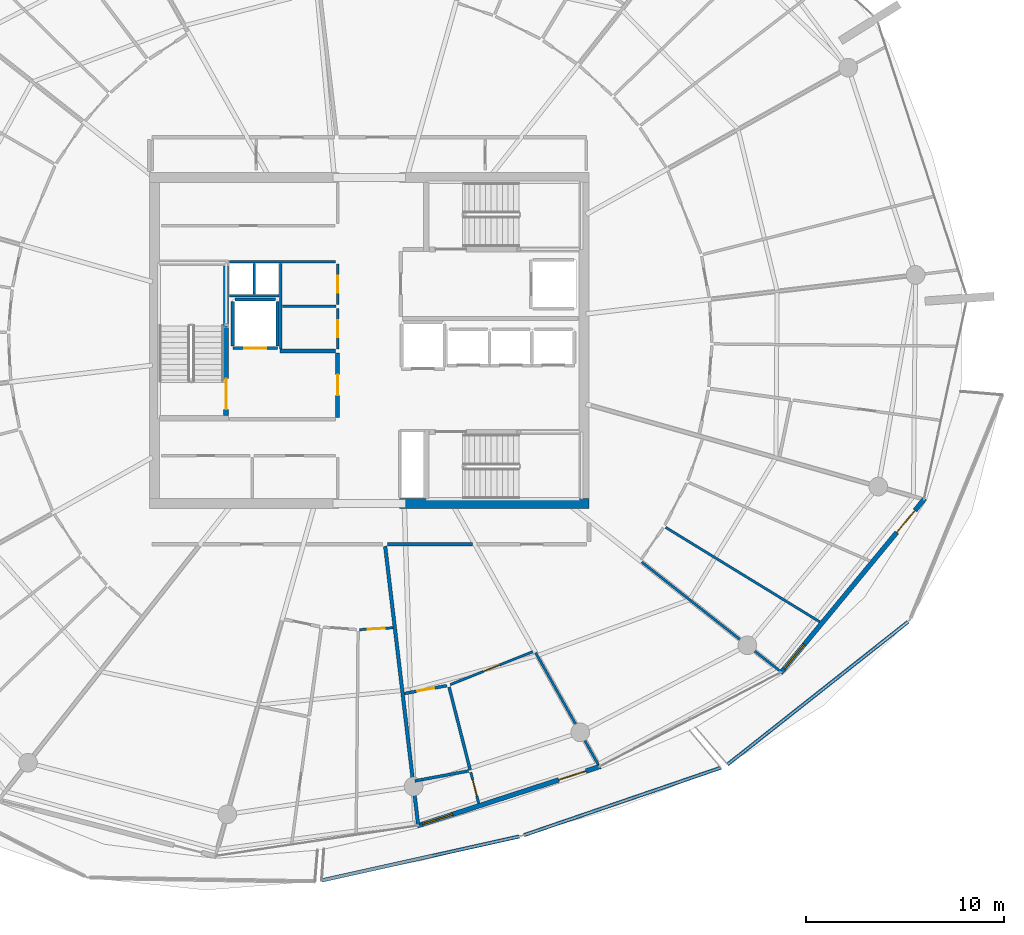
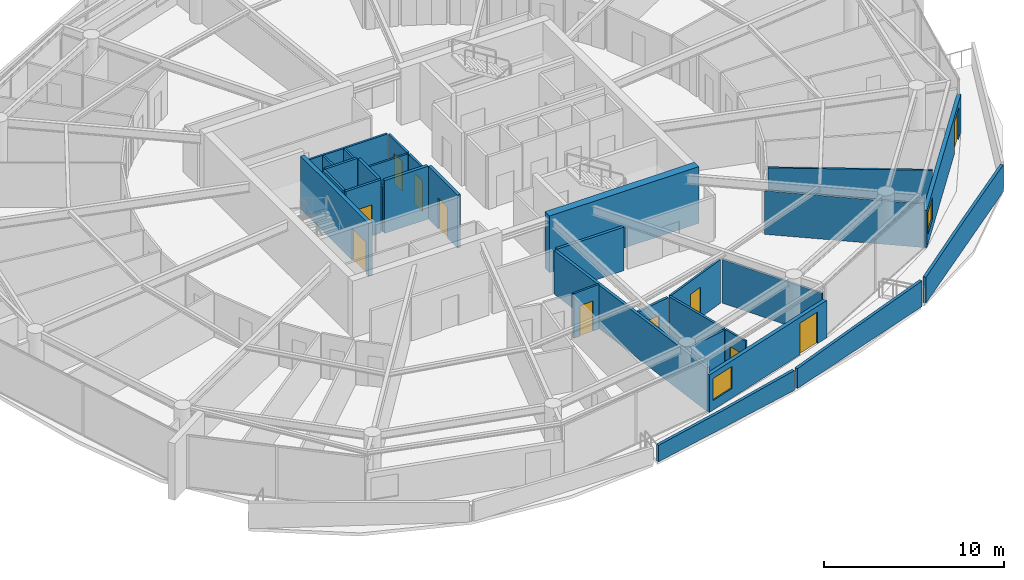
# One storey, part 18 of 29: 31 walls, 11 doors, 2 windows, 13 openings.
"""IFC4 building model written with IfcOpenShell, lengths in metres."""

from ifc_helpers import new_model, si_unit, direction, frame, frame_2d, origin, place, context, subcontext, project, spatial, polyline, rectangle, outline, extrude, material, layer, layer_set, type_object, element, fill, save


model = new_model("IFC4")

# Units and contexts
model_context = context("Model", 3, precision=1e-05, world=origin(), true_north=direction((0.0, 1.0)))
body_context = subcontext(model_context, "Body", "Model", "MODEL_VIEW")
ifc_project = project(units=[si_unit("LENGTHUNIT", "METRE"), si_unit("AREAUNIT", "SQUARE_METRE"), si_unit("VOLUMEUNIT", "CUBIC_METRE"), si_unit("PLANEANGLEUNIT", "RADIAN"), si_unit("MASSUNIT", "GRAM", prefix="KILO")], contexts=[model_context])

# Site, building, storey
site_placement = place(None, origin())
site = spatial("IfcSite", under=ifc_project, at=site_placement, CompositionType="ELEMENT")
building_placement = place(site_placement, origin())
building = spatial("IfcBuilding", under=site, at=building_placement, Name="Kazma Halo Residences", CompositionType="ELEMENT")
storey_placement = place(building_placement, frame((0.0, 0.0, 282.89990234375)))
storey = spatial("IfcBuildingStorey", under=building, at=storey_placement, Name="L71", CompositionType="ELEMENT", Elevation=282.89990234375)

# Walls
ifc_material_1 = material(Name="White Concrete C50/60 Balustrade", Category="concrete")
ifc_layer_1 = layer(ifc_material_1, 0.179931640625)
ifc_layer_set_1 = layer_set([ifc_layer_1], Name="White Concrete C50/60 Balustrade")
wall_type_1 = type_object("IfcWallType", Name="WL-BAL-WAVE-180", PredefinedType="PARAPET", material=ifc_layer_set_1)
wall_1_placement = place(storey_placement, frame((46.01708984375, 14.672607421875, 0.0), z_axis=(0.0, 0.0, 1.0), x_axis=(0.976130464401, 0.217184982143, 0.0)))
element("IfcWall", 1, at=wall_1_placement, inside=storey, type_object=wall_type_1, Name="L71 white wave balustrade wall SSE.1", PredefinedType="PARAPET", context=body_context, shape_type="SweptSolid", body=[
    extrude(outline(polyline([(0.0, 0.0), (10.257568359375, 0.0), (10.25732421875, 1.34814453125), (5.128662109375, 1.18212890625), (0.0, 1.1201171875), (0.0, 0.0)])), frame((0.0, 0.08984375, 0.0), z_axis=(0.0, -1.0, 0.0), x_axis=(1.0, 0.0, 0.0)), (0.0, 0.0, 1.0), 0.179931640625),
])
wall_2_placement = place(storey_placement, frame((56.26025390625, 16.965576171875, 0.0), z_axis=(0.0, 0.0, 1.0), x_axis=(0.945994037051, 0.32418402469, 0.0)))
element("IfcWall", 2, at=wall_2_placement, inside=storey, type_object=wall_type_1, Name="L71 white wave balustrade wall SSE.2", PredefinedType="PARAPET", context=body_context, shape_type="SweptSolid", body=[
    extrude(outline(polyline([(0.0, 0.0), (10.5439453125, 0.0), (10.5439453125, 1.7470703125), (5.27197265625, 1.56201171875), (0.0, 1.34814453125), (0.0, 0.0)])), frame((0.0, 0.08984375, 0.0), z_axis=(0.0, -1.0, 0.0), x_axis=(1.0, 0.0, 0.0)), (0.0, 0.0, 1.0), 0.179931640625),
])
wall_3_placement = place(storey_placement, frame((66.55712890625, 20.5390625, 0.0), z_axis=(0.0, 0.0, 1.0), x_axis=(0.784536716277, 0.620082366153, 0.0)))
element("IfcWall", 3, at=wall_3_placement, inside=storey, type_object=wall_type_1, Name="L71 white wave balustrade wall SE.1", PredefinedType="PARAPET", context=body_context, shape_type="SweptSolid", body=[
    extrude(outline(polyline([(0.0, 0.0), (11.65234375, 0.0), (11.652099609375, 1.83203125), (5.826171875, 1.85302734375), (0.0, 1.756103515625), (0.0, 0.0)])), frame((0.0, 0.08984375, 0.0), z_axis=(0.0, -1.0, 0.0), x_axis=(1.0, 0.0, 0.0)), (0.0, 0.0, 1.0), 0.179931640625),
])
ifc_material_2 = material(Name="Concrete C60/75", Category="concrete")
ifc_layer_2 = layer(ifc_material_2, 0.5)
ifc_layer_set_2 = layer_set([ifc_layer_2], Name="Concrete C60/75")
wall_type_2 = type_object("IfcWallType", Name="WL-CORE-500", PredefinedType="SHEAR", material=ifc_layer_set_2)
wall_4_placement = place(storey_placement, frame((49.949951171875, 33.75, 0.0), z_axis=(0.0, 0.0, 1.0), x_axis=(1.0, 0.0, 0.0)))
element("IfcWall", 4, at=wall_4_placement, inside=storey, type_object=wall_type_2, Name="L71 central core shear wall SE", PredefinedType="SHEAR", context=body_context, shape_type="SweptSolid", body=[
    extrude(rectangle(XDim=9.60009765625, YDim=0.5, at=frame_2d((4.800048828125, 0.0))), origin(), (0.0, 0.0, 1.0), 3.85009765625),
])
ifc_material_3 = material(Name="Acoustic Twin-Stud Gypsum")
ifc_layer_3 = layer(ifc_material_3, 0.179931640625)
ifc_layer_set_3 = layer_set([ifc_layer_3], Name="Acoustic Twin-Stud Gypsum")
wall_type_3 = type_object("IfcWallType", Name="WL-DEM-180", PredefinedType="PARTITIONING", material=ifc_layer_set_3)
wall_5_placement = place(storey_placement, frame((49.23193359375, 31.5908203125, 0.0), z_axis=(0.0, 0.0, 1.0), x_axis=(0.117545848714, -0.993067456646, 0.0)))
element("IfcWall", 5, at=wall_5_placement, inside=storey, type_object=wall_type_3, Name="L71 apartment demising radial wall 11", PredefinedType="PARTITIONING", context=body_context, shape_type="SweptSolid", body=[
    extrude(rectangle(XDim=14.212890625, YDim=0.179931640625, at=frame_2d((7.1064453125, 0.0))), origin(), (0.0, 0.0, 1.0), 2.95703125),
])
wall_6_placement = place(storey_placement, frame((49.339111328125, 31.699951171875, 0.0), z_axis=(0.0, 0.0, 1.0), x_axis=(1.0, 0.0, 0.0)))
element("IfcWall", 6, at=wall_6_placement, inside=storey, type_object=wall_type_3, Name="L71 Apartment 3 inner wall 11", PredefinedType="PARTITIONING", context=body_context, shape_type="SweptSolid", body=[
    extrude(rectangle(XDim=4.30908203125, YDim=0.179931640625, at=frame_2d((2.154541015625, 0.0))), origin(), (0.0, 0.0, 1.0), 2.95703125),
])

# Wall, openings, door, window
ifc_material_4 = material(Name="Insulated Pale-Metal Composite Wall")
ifc_layer_4 = layer(ifc_material_4, 0.239990234375)
ifc_layer_set_4 = layer_set([ifc_layer_4], Name="Insulated Pale-Metal Composite Wall")
wall_type_4 = type_object("IfcWallType", Name="WL-EXT-HOST-240", PredefinedType="SOLIDWALL", material=ifc_layer_set_4)
wall_7_placement = place(storey_placement, frame((50.85791015625, 17.436279296875, 0.0), z_axis=(0.0, 0.0, 1.0), x_axis=(0.951055974609, 0.309018661507, 0.0)))
wall_7 = element("IfcWall", 7, at=wall_7_placement, inside=storey, type_object=wall_type_4, Name="L71 exterior terrace-access wall B12", PredefinedType="SOLIDWALL", context=body_context, shape_type="SweptSolid", body=[
    extrude(rectangle(XDim=9.745361328125, YDim=0.239990234375, at=frame_2d((4.87255859375, 0.0))), origin(), (0.0, 0.0, 1.0), 2.5400390625),
])
opening_1_placement = place(wall_7_placement, frame((7.525390625, 0.0, 0.0)))
opening_1 = element("IfcOpeningElement", 8, at=opening_1_placement, cuts=wall_7, Name="Opening DTR-1600", PredefinedType="OPENING", context=body_context, shape_type="SweptSolid", body=[
    extrude(rectangle(XDim=1.449951171875, YDim=2.14990234375, at=frame_2d((0.72509765625, 1.074951171875))), frame((0.0, 0.1298828125, 0.0), z_axis=(0.0, -1.0, 0.0), x_axis=(1.0, 0.0, 0.0)), (0.0, 0.0, 1.0), 0.260009765625),
])
opening_2_placement = place(wall_7_placement, frame((0.280029296875, 0.0, 0.64990234375)))
opening_2 = element("IfcOpeningElement", 9, at=opening_2_placement, cuts=wall_7, Name="Opening W-1800", PredefinedType="OPENING", context=body_context, shape_type="SweptSolid", body=[
    extrude(rectangle(XDim=1.60009765625, YDim=1.5, at=frame_2d((0.800048828125, 0.75))), frame((0.0, 0.1298828125, 0.0), z_axis=(0.0, -1.0, 0.0), x_axis=(1.0, 0.0, 0.0)), (0.0, 0.0, 1.0), 0.260009765625),
])
ifc_material_5 = material(Name="Aluminium AW-6063 T6 Double-Glazed Terrace Door", Category="aluminium")
door_type_1 = type_object("IfcDoorType", Name="DR-EXT-TERR-1600", OperationType="NOTDEFINED", PredefinedType="DOOR", material=ifc_material_5)
door_1_placement = place(opening_1_placement, origin())
door_1 = element("IfcDoor", 10, at=door_1_placement, inside=storey, type_object=door_type_1, Name="L71 B12 balcony terrace door", OperationType="DOUBLE_DOOR_SLIDING", OverallHeight=2.14990234375, OverallWidth=1.449951171875, PredefinedType="DOOR", context=body_context, shape_type="SweptSolid", body=[
    extrude(rectangle(XDim=1.449951171875, YDim=2.14990234375, at=frame_2d((0.72509765625, 1.074951171875))), frame((0.0, 0.02490234375, 0.0), z_axis=(0.0, -1.0, 0.0), x_axis=(1.0, 0.0, 0.0)), (0.0, 0.0, 1.0), 0.050048828125),
])
fill(opening_1, door_1)
ifc_material_6 = material(Name="Clear Triple-Silver Low-E Glass in Aluminium AW-6063 T6 Frame", Category="aluminium")
window_type = type_object("IfcWindowType", Name="WIN-RES-1800", PartitioningType="DOUBLE_PANEL_VERTICAL", PredefinedType="WINDOW", material=ifc_material_6)
window_1_placement = place(opening_2_placement, origin())
window_1 = element("IfcWindow", 11, at=window_1_placement, inside=storey, type_object=window_type, Name="L71 B12 apartment window", OverallHeight=1.5, OverallWidth=1.60009765625, PartitioningType="SINGLE_PANEL", PredefinedType="WINDOW", context=body_context, shape_type="SweptSolid", body=[
    extrude(rectangle(XDim=1.60009765625, YDim=1.5, at=frame_2d((0.800048828125, 0.75))), frame((0.0, 0.030029296875, 0.0), z_axis=(0.0, -1.0, 0.0), x_axis=(1.0, 0.0, 0.0)), (0.0, 0.0, 1.0), 0.06005859375),
])
fill(opening_2, window_1)

wall_8_placement = place(storey_placement, frame((69.2578125, 25.177978515625, 0.0), z_axis=(0.0, 0.0, 1.0), x_axis=(0.636680093065, 0.771128043255, 0.0)))
wall_8 = element("IfcWall", 12, at=wall_8_placement, inside=storey, type_object=wall_type_4, Name="L71 exterior terrace-access wall B14", PredefinedType="SOLIDWALL", context=body_context, shape_type="SweptSolid", body=[
    extrude(rectangle(XDim=11.438232421875, YDim=0.239990234375, at=frame_2d((5.71923828125, 0.0))), origin(), (0.0, 0.0, 1.0), 2.5400390625),
])
opening_3_placement = place(wall_8_placement, frame((9.21826171875, 0.0, 0.0)))
opening_3 = element("IfcOpeningElement", 13, at=opening_3_placement, cuts=wall_8, Name="Opening DTR-1600", PredefinedType="OPENING", context=body_context, shape_type="SweptSolid", body=[
    extrude(rectangle(XDim=1.449951171875, YDim=2.14990234375, at=frame_2d((0.72509765625, 1.074951171875))), frame((0.0, 0.1298828125, 0.0), z_axis=(0.0, -1.0, 0.0), x_axis=(1.0, 0.0, 0.0)), (0.0, 0.0, 1.0), 0.260009765625),
])
opening_4_placement = place(wall_8_placement, frame((0.280029296875, 0.0, 0.64990234375)))
opening_4 = element("IfcOpeningElement", 14, at=opening_4_placement, cuts=wall_8, Name="Opening W-1800", PredefinedType="OPENING", context=body_context, shape_type="SweptSolid", body=[
    extrude(rectangle(XDim=1.60009765625, YDim=1.5, at=frame_2d((0.800048828125, 0.75))), frame((0.0, 0.1298828125, 0.0), z_axis=(0.0, -1.0, 0.0), x_axis=(1.0, 0.0, 0.0)), (0.0, 0.0, 1.0), 0.260009765625),
])
door_2_placement = place(opening_3_placement, origin())
door_2 = element("IfcDoor", 15, at=door_2_placement, inside=storey, type_object=door_type_1, Name="L71 B14 balcony terrace door", OperationType="DOUBLE_DOOR_SLIDING", OverallHeight=2.14990234375, OverallWidth=1.449951171875, PredefinedType="DOOR", context=body_context, shape_type="SweptSolid", body=[
    extrude(rectangle(XDim=1.449951171875, YDim=2.14990234375, at=frame_2d((0.72509765625, 1.074951171875))), frame((0.0, 0.02490234375, 0.0), z_axis=(0.0, -1.0, 0.0), x_axis=(1.0, 0.0, 0.0)), (0.0, 0.0, 1.0), 0.050048828125),
])
fill(opening_3, door_2)
window_2_placement = place(opening_4_placement, origin())
window_2 = element("IfcWindow", 16, at=window_2_placement, inside=storey, type_object=window_type, Name="L71 B14 apartment window", OverallHeight=1.5, OverallWidth=1.60009765625, PartitioningType="SINGLE_PANEL", PredefinedType="WINDOW", context=body_context, shape_type="SweptSolid", body=[
    extrude(rectangle(XDim=1.60009765625, YDim=1.5, at=frame_2d((0.800048828125, 0.75))), frame((0.0, 0.030029296875, 0.0), z_axis=(0.0, -1.0, 0.0), x_axis=(1.0, 0.0, 0.0)), (0.0, 0.0, 1.0), 0.06005859375),
])
fill(opening_4, window_2)

# Wall, opening, door
ifc_material_7 = material(Name="Fire-Rated Blockwork Masonry", Category="masonry")
ifc_layer_5 = layer(ifc_material_7, 0.199951171875)
ifc_layer_set_5 = layer_set([ifc_layer_5], Name="Fire-Rated Blockwork Masonry")
wall_type_5 = type_object("IfcWallType", Name="WL-FLB-200", PredefinedType="PARTITIONING", material=ifc_layer_set_5)
wall_9_placement = place(storey_placement, frame((43.780029296875, 41.6201171875, 0.0), z_axis=(0.0, 0.0, 1.0), x_axis=(-1.0, 0.0, 0.0)))
wall_9 = element("IfcWall", 17, at=wall_9_placement, inside=storey, type_object=wall_type_5, Name="L71 lift shaft FL-01 front wall", PredefinedType="PARTITIONING", context=body_context, shape_type="SweptSolid", body=[
    extrude(rectangle(XDim=2.260009765625, YDim=0.159912109375, at=frame_2d((1.1298828125, 0.0))), origin(), (0.0, 0.0, 1.0), 3.590087890625),
])
opening_5_placement = place(wall_9_placement, frame((0.580078125, 0.0, 0.0)))
opening_5 = element("IfcOpeningElement", 18, at=opening_5_placement, cuts=wall_9, Name="Opening LD-FL-01", PredefinedType="OPENING", context=body_context, shape_type="SweptSolid", body=[
    extrude(rectangle(XDim=1.10009765625, YDim=2.10009765625, at=frame_2d((0.550048828125, 1.050048828125))), frame((0.0, 0.08984375, 0.0), z_axis=(0.0, -1.0, 0.0), x_axis=(1.0, 0.0, 0.0)), (0.0, 0.0, 1.0), 0.179931640625),
])
ifc_material_8 = material(Name="Stainless Steel Fire-Rated", Category="steel")
door_type_2 = type_object("IfcDoorType", Name="DR-LIFT-SLD-1100", OperationType="DOUBLE_DOOR_SLIDING", PredefinedType="DOOR", material=ifc_material_8)
door_3_placement = place(opening_5_placement, origin())
door_3 = element("IfcDoor", 19, at=door_3_placement, inside=storey, type_object=door_type_2, Name="L71 lift FL-01 sliding landing door", OperationType="DOUBLE_DOOR_SLIDING", OverallHeight=2.10009765625, OverallWidth=1.10009765625, PredefinedType="DOOR", context=body_context, shape_type="SweptSolid", body=[
    extrude(rectangle(XDim=1.10009765625, YDim=2.10009765625, at=frame_2d((0.550048828125, 1.050048828125))), frame((0.0, 0.02490234375, 0.0), z_axis=(0.0, -1.0, 0.0), x_axis=(1.0, 0.0, 0.0)), (0.0, 0.0, 1.0), 0.050048828125),
])
fill(opening_5, door_3)

# Walls
for number, where, z_axis, x_axis, name in (
    (20, (43.780029296875, 41.719970703125, 0.0), (0.0, 0.0, 1.0), (0.0, 1.0, 0.0), "L71 lift shaft FL-01 side wall E"),
    (21, (41.52001953125, 41.719970703125, 0.0), (0.0, 0.0, 1.0), (0.0, 1.0, 0.0), "L71 lift shaft FL-01 side wall W"),
):
    element("IfcWall", number, at=place(storey_placement, frame(where, z_axis=z_axis, x_axis=x_axis)), inside=storey, type_object=wall_type_5, Name=name, PredefinedType="PARTITIONING", context=body_context, shape_type="SweptSolid", body=[
        extrude(rectangle(XDim=2.260009765625, YDim=0.159912109375, at=frame_2d((1.1298828125, 0.0))), origin(), (0.0, 0.0, 1.0), 3.590087890625),
    ])
wall_10_placement = place(storey_placement, frame((41.6201171875, 44.080078125, 0.0), z_axis=(0.0, 0.0, 1.0), x_axis=(1.0, 0.0, 0.0)))
element("IfcWall", 22, at=wall_10_placement, inside=storey, type_object=wall_type_5, Name="L71 lift shaft FL-01 side wall N", PredefinedType="PARTITIONING", context=body_context, shape_type="SweptSolid", body=[
    extrude(rectangle(XDim=2.059814453125, YDim=0.159912109375, at=frame_2d((1.02978515625, 0.0))), origin(), (0.0, 0.0, 1.0), 3.590087890625),
])
wall_11_placement = place(storey_placement, frame((43.919921875, 41.47998046875, 0.0), z_axis=(0.0, 0.0, 1.0), x_axis=(1.0, 0.0, 0.0)))
element("IfcWall", 23, at=wall_11_placement, inside=storey, type_object=wall_type_5, Name="L71 west firefighting lobby north smoke wall", PredefinedType="PARTITIONING", context=body_context, shape_type="SweptSolid", body=[
    extrude(rectangle(XDim=2.800048828125, YDim=0.199951171875, at=frame_2d((1.39990234375, 0.0))), origin(), (0.0, 0.0, 1.0), 3.590087890625),
])

# Wall, opening, door
wall_12_placement = place(storey_placement, frame((46.820068359375, 38.1201171875, 0.0), z_axis=(0.0, 0.0, 1.0), x_axis=(0.0, 1.0, 0.0)))
wall_12 = element("IfcWall", 24, at=wall_12_placement, inside=storey, type_object=wall_type_5, Name="L71 west firefighting lobby smoke wall", PredefinedType="PARTITIONING", context=body_context, shape_type="SweptSolid", body=[
    extrude(rectangle(XDim=3.259765625, YDim=0.199951171875, at=frame_2d((1.6298828125, 0.0))), origin(), (0.0, 0.0, 1.0), 3.590087890625),
])
opening_6_placement = place(wall_12_placement, frame((1.10498046875, 0.0, 0.0)))
opening_6 = element("IfcOpeningElement", 25, at=opening_6_placement, cuts=wall_12, Name="Opening D-FLW", PredefinedType="OPENING", context=body_context, shape_type="SweptSolid", body=[
    extrude(rectangle(XDim=1.050048828125, YDim=2.10009765625, at=frame_2d((0.52490234375, 1.050048828125))), frame((0.0, 0.10986328125, 0.0), z_axis=(0.0, -1.0, 0.0), x_axis=(1.0, 0.0, 0.0)), (0.0, 0.0, 1.0), 0.219970703125),
])
ifc_material_9 = material(Name="Fire-Rated Steel Leaf", Category="steel")
door_type_3 = type_object("IfcDoorType", Name="DR-FD90-1050", OperationType="NOTDEFINED", PredefinedType="DOOR", material=ifc_material_9)
door_4_placement = place(opening_6_placement, origin())
door_4 = element("IfcDoor", 26, at=door_4_placement, inside=storey, type_object=door_type_3, Name="L71 west firefighting lobby smoke door", OperationType="SINGLE_SWING_RIGHT", OverallHeight=2.10009765625, OverallWidth=1.050048828125, PredefinedType="DOOR", context=body_context, shape_type="SweptSolid", body=[
    extrude(rectangle(XDim=1.050048828125, YDim=2.10009765625, at=frame_2d((0.52490234375, 1.050048828125))), frame((0.0, 0.02490234375, 0.0), z_axis=(0.0, -1.0, 0.0), x_axis=(1.0, 0.0, 0.0)), (0.0, 0.0, 1.0), 0.050048828125),
])
fill(opening_6, door_4)

# Walls
ifc_material_10 = material(Name="Gypsum Plasterboard Partition")
ifc_layer_6 = layer(ifc_material_10, 0.125)
ifc_layer_set_6 = layer_set([ifc_layer_6], Name="Gypsum Plasterboard Partition")
wall_type_6 = type_object("IfcWallType", Name="WL-PART-125", PredefinedType="PARTITIONING", material=ifc_layer_set_6)
wall_13_placement = place(storey_placement, frame((41.360107421875, 45.97998046875, 0.0), z_axis=(0.0, 0.0, 1.0), x_axis=(1.0, 0.0, 0.0)))
element("IfcWall", 27, at=wall_13_placement, inside=storey, type_object=wall_type_6, Name="L71 core north riser wall", PredefinedType="PARTITIONING", context=body_context, shape_type="SweptSolid", body=[
    extrude(rectangle(XDim=5.35986328125, YDim=0.125, at=frame_2d((2.679931640625, 0.0))), origin(), (0.0, 0.0, 1.0), 3.030029296875),
])
wall_14_placement = place(storey_placement, frame((41.360107421875, 44.260009765625, 0.0), z_axis=(0.0, 0.0, 1.0), x_axis=(1.0, 0.0, 0.0)))
element("IfcWall", 28, at=wall_14_placement, inside=storey, type_object=wall_type_6, Name="L71 core riser south wall", PredefinedType="PARTITIONING", context=body_context, shape_type="SweptSolid", body=[
    extrude(rectangle(XDim=2.5, YDim=0.125, at=frame_2d((1.25, 0.0))), origin(), (0.0, 0.0, 1.0), 3.030029296875),
])
wall_15_placement = place(storey_placement, frame((42.60009765625, 44.35009765625, 0.0), z_axis=(0.0, 0.0, 1.0), x_axis=(0.0, 1.0, 0.0)))
element("IfcWall", 29, at=wall_15_placement, inside=storey, type_object=wall_type_6, Name="L71 core riser divider wall", PredefinedType="PARTITIONING", context=body_context, shape_type="SweptSolid", body=[
    extrude(rectangle(XDim=1.5498046875, YDim=0.125, at=frame_2d((0.77490234375, 0.0))), origin(), (0.0, 0.0, 1.0), 3.030029296875),
])
wall_16_placement = place(storey_placement, frame((43.949951171875, 41.580078125, 0.0), z_axis=(0.0, 0.0, 1.0), x_axis=(0.0, 1.0, 0.0)))
element("IfcWall", 30, at=wall_16_placement, inside=storey, type_object=wall_type_6, Name="L71 core service west wall", PredefinedType="PARTITIONING", context=body_context, shape_type="SweptSolid", body=[
    extrude(rectangle(XDim=4.31982421875, YDim=0.125, at=frame_2d((2.159912109375, 0.0))), origin(), (0.0, 0.0, 1.0), 3.030029296875),
])
wall_17_placement = place(storey_placement, frame((44.030029296875, 43.72998046875, 0.0), z_axis=(0.0, 0.0, 1.0), x_axis=(1.0, 0.0, 0.0)))
element("IfcWall", 31, at=wall_17_placement, inside=storey, type_object=wall_type_6, Name="L71 switch/IDF divider", PredefinedType="PARTITIONING", context=body_context, shape_type="SweptSolid", body=[
    extrude(rectangle(XDim=2.7099609375, YDim=0.125, at=frame_2d((1.35498046875, 0.0))), origin(), (0.0, 0.0, 1.0), 3.030029296875),
])

# Wall, opening, door
wall_18_placement = place(storey_placement, frame((46.820068359375, 41.580078125, 0.0), z_axis=(0.0, 0.0, 1.0), x_axis=(0.0, 1.0, 0.0)))
wall_18 = element("IfcWall", 32, at=wall_18_placement, inside=storey, type_object=wall_type_6, Name="L71 electrical switch room east wall", PredefinedType="PARTITIONING", context=body_context, shape_type="SweptSolid", body=[
    extrude(rectangle(XDim=2.0498046875, YDim=0.125, at=frame_2d((1.02490234375, 0.0))), origin(), (0.0, 0.0, 1.0), 3.030029296875),
])
opening_7_placement = place(wall_18_placement, frame((0.60009765625, 0.0, 0.0)))
opening_7 = element("IfcOpeningElement", 33, at=opening_7_placement, cuts=wall_18, Name="Opening DS-850", PredefinedType="OPENING", context=body_context, shape_type="SweptSolid", body=[
    extrude(rectangle(XDim=0.85009765625, YDim=2.06005859375, at=frame_2d((0.425048828125, 1.030029296875))), frame((0.0, 0.072509765625, 0.0), z_axis=(0.0, -1.0, 0.0), x_axis=(1.0, 0.0, 0.0)), (0.0, 0.0, 1.0), 0.14501953125),
])
ifc_material_11 = material(Name="Painted Steel Access Leaf", Category="steel")
door_type_4 = type_object("IfcDoorType", Name="DR-SVC-850", OperationType="NOTDEFINED", PredefinedType="DOOR", material=ifc_material_11)
door_5_placement = place(opening_7_placement, origin())
door_5 = element("IfcDoor", 34, at=door_5_placement, inside=storey, type_object=door_type_4, Name="L71 electrical switch room door", OperationType="SINGLE_SWING_RIGHT", OverallHeight=2.06005859375, OverallWidth=0.85009765625, PredefinedType="DOOR", context=body_context, shape_type="SweptSolid", body=[
    extrude(rectangle(XDim=0.85009765625, YDim=2.06005859375, at=frame_2d((0.425048828125, 1.030029296875))), frame((0.0, 0.02490234375, 0.0), z_axis=(0.0, -1.0, 0.0), x_axis=(1.0, 0.0, 0.0)), (0.0, 0.0, 1.0), 0.050048828125),
])
fill(opening_7, door_5)

wall_19_placement = place(storey_placement, frame((46.820068359375, 43.830078125, 0.0), z_axis=(0.0, 0.0, 1.0), x_axis=(0.0, 1.0, 0.0)))
wall_19 = element("IfcWall", 35, at=wall_19_placement, inside=storey, type_object=wall_type_6, Name="L71 telecom IDF room east wall", PredefinedType="PARTITIONING", context=body_context, shape_type="SweptSolid", body=[
    extrude(rectangle(XDim=2.0498046875, YDim=0.125, at=frame_2d((1.02490234375, 0.0))), origin(), (0.0, 0.0, 1.0), 3.030029296875),
])
opening_8_placement = place(wall_19_placement, frame((0.60009765625, 0.0, 0.0)))
opening_8 = element("IfcOpeningElement", 36, at=opening_8_placement, cuts=wall_19, Name="Opening DS-850", PredefinedType="OPENING", context=body_context, shape_type="SweptSolid", body=[
    extrude(rectangle(XDim=0.85009765625, YDim=2.06005859375, at=frame_2d((0.425048828125, 1.030029296875))), frame((0.0, 0.072509765625, 0.0), z_axis=(0.0, -1.0, 0.0), x_axis=(1.0, 0.0, 0.0)), (0.0, 0.0, 1.0), 0.14501953125),
])
door_6_placement = place(opening_8_placement, origin())
door_6 = element("IfcDoor", 37, at=door_6_placement, inside=storey, type_object=door_type_4, Name="L71 telecom IDF room door", OperationType="SINGLE_SWING_LEFT", OverallHeight=2.06005859375, OverallWidth=0.85009765625, PredefinedType="DOOR", context=body_context, shape_type="SweptSolid", body=[
    extrude(rectangle(XDim=0.85009765625, YDim=2.06005859375, at=frame_2d((0.425048828125, 1.030029296875))), frame((0.0, 0.02490234375, 0.0), z_axis=(0.0, -1.0, 0.0), x_axis=(1.0, 0.0, 0.0)), (0.0, 0.0, 1.0), 0.050048828125),
])
fill(opening_8, door_6)

wall_20_placement = place(storey_placement, frame((47.94189453125, 27.368896484375, 0.0), z_axis=(0.0, 0.0, 1.0), x_axis=(0.998523596101, 0.054319683628, 0.0)))
wall_20 = element("IfcWall", 38, at=wall_20_placement, inside=storey, type_object=wall_type_6, Name="L71 Apartment 2 Primary Bedroom hall wall", PredefinedType="PARTITIONING", context=body_context, shape_type="SweptSolid", body=[
    extrude(rectangle(XDim=1.680908203125, YDim=0.125, at=frame_2d((0.84033203125, 0.0))), origin(), (0.0, 0.0, 1.0), 3.030029296875),
])
opening_9_placement = place(wall_20_placement, frame((0.415283203125, 0.0, 0.0)))
opening_9 = element("IfcOpeningElement", 39, at=opening_9_placement, cuts=wall_20, Name="Opening DB-900", PredefinedType="OPENING", context=body_context, shape_type="SweptSolid", body=[
    extrude(rectangle(XDim=0.85009765625, YDim=2.06005859375, at=frame_2d((0.425048828125, 1.030029296875))), frame((0.0, 0.072509765625, 0.0), z_axis=(0.0, -1.0, 0.0), x_axis=(1.0, 0.0, 0.0)), (0.0, 0.0, 1.0), 0.14501953125),
])
ifc_material_12 = material(Name="Moisture-Sealed Timber Leaf", Category="wood")
door_type_5 = type_object("IfcDoorType", Name="DR-BTH-900", OperationType="NOTDEFINED", PredefinedType="DOOR", material=ifc_material_12)
door_7_placement = place(opening_9_placement, origin())
door_7 = element("IfcDoor", 40, at=door_7_placement, inside=storey, type_object=door_type_5, Name="L71 Apartment 2 Primary Bedroom door", OperationType="SINGLE_SWING_LEFT", OverallHeight=2.06005859375, OverallWidth=0.85009765625, PredefinedType="DOOR", context=body_context, shape_type="SweptSolid", body=[
    extrude(rectangle(XDim=0.85009765625, YDim=2.06005859375, at=frame_2d((0.425048828125, 1.030029296875))), frame((0.0, 0.02490234375, 0.0), z_axis=(0.0, -1.0, 0.0), x_axis=(1.0, 0.0, 0.0)), (0.0, 0.0, 1.0), 0.050048828125),
])
fill(opening_9, door_7)

# Wall
wall_21_placement = place(storey_placement, frame((56.846923828125, 26.20263671875, 0.0), z_axis=(0.0, 0.0, 1.0), x_axis=(0.488636594114, -0.872487409017, 0.0)))
element("IfcWall", 41, at=wall_21_placement, inside=storey, type_object=wall_type_6, Name="L71 Apartment 3 living radial partition 11", PredefinedType="PARTITIONING", context=body_context, shape_type="SweptSolid", body=[
    extrude(rectangle(XDim=6.48876953125, YDim=0.125, at=frame_2d((3.244384765625, 0.0))), origin(), (0.0, 0.0, 1.0), 2.95703125),
])

# Wall, opening, door
wall_22_placement = place(storey_placement, frame((53.5654296875, 20.1455078125, 0.0), z_axis=(0.0, 0.0, 1.0), x_axis=(0.24689818157, -0.969041427359, 0.0)))
wall_22 = element("IfcWall", 42, at=wall_22_placement, inside=storey, type_object=wall_type_6, Name="L71 Apartment 3 Utility Laundry Room partition wall", PredefinedType="PARTITIONING", context=body_context, shape_type="SweptSolid", body=[
    extrude(rectangle(XDim=1.61865234375, YDim=0.125, at=frame_2d((0.809326171875, 0.0))), origin(), (0.0, 0.0, 1.0), 3.030029296875),
])
opening_10_placement = place(wall_22_placement, frame((0.384521484375, 0.0, 0.0)))
opening_10 = element("IfcOpeningElement", 43, at=opening_10_placement, cuts=wall_22, Name="Opening DB-900", PredefinedType="OPENING", context=body_context, shape_type="SweptSolid", body=[
    extrude(rectangle(XDim=0.85009765625, YDim=2.06005859375, at=frame_2d((0.425048828125, 1.030029296875))), frame((0.0, 0.072509765625, 0.0), z_axis=(0.0, -1.0, 0.0), x_axis=(1.0, 0.0, 0.0)), (0.0, 0.0, 1.0), 0.14501953125),
])
door_8_placement = place(opening_10_placement, origin())
door_8 = element("IfcDoor", 44, at=door_8_placement, inside=storey, type_object=door_type_5, Name="L71 Apartment 3 Utility Laundry Room door", OperationType="SINGLE_SWING_RIGHT", OverallHeight=2.06005859375, OverallWidth=0.85009765625, PredefinedType="DOOR", context=body_context, shape_type="SweptSolid", body=[
    extrude(rectangle(XDim=0.85009765625, YDim=2.06005859375, at=frame_2d((0.425048828125, 1.030029296875))), frame((0.0, 0.02490234375, 0.0), z_axis=(0.0, -1.0, 0.0), x_axis=(1.0, 0.0, 0.0)), (0.0, 0.0, 1.0), 0.050048828125),
])
fill(opening_10, door_8)

wall_23_placement = place(storey_placement, frame((52.52734375, 24.584228515625, 0.0), z_axis=(0.0, 0.0, 1.0), x_axis=(0.928678664633, 0.370885343274, 0.0)))
wall_23 = element("IfcWall", 45, at=wall_23_placement, inside=storey, type_object=wall_type_6, Name="L71 Apartment 3 Gourmet Kitchen hall wall", PredefinedType="PARTITIONING", context=body_context, shape_type="SweptSolid", body=[
    extrude(rectangle(XDim=4.49853515625, YDim=0.125, at=frame_2d((2.249267578125, 0.0))), origin(), (0.0, 0.0, 1.0), 2.95703125),
])
opening_11_placement = place(wall_23_placement, frame((1.79931640625, 0.0, 0.0)))
opening_11 = element("IfcOpeningElement", 46, at=opening_11_placement, cuts=wall_23, Name="Opening DI-950", PredefinedType="OPENING", context=body_context, shape_type="SweptSolid", body=[
    extrude(rectangle(XDim=0.89990234375, YDim=2.080078125, at=frame_2d((0.449951171875, 1.0400390625))), frame((0.0, 0.072509765625, 0.0), z_axis=(0.0, -1.0, 0.0), x_axis=(1.0, 0.0, 0.0)), (0.0, 0.0, 1.0), 0.14501953125),
])
ifc_material_13 = material(Name="Timber Veneer Flush Leaf", Category="wood")
door_type_6 = type_object("IfcDoorType", Name="DR-INT-950", OperationType="NOTDEFINED", PredefinedType="DOOR", material=ifc_material_13)
door_9_placement = place(opening_11_placement, origin())
door_9 = element("IfcDoor", 47, at=door_9_placement, inside=storey, type_object=door_type_6, Name="L71 Apartment 3 Gourmet Kitchen door", OperationType="SINGLE_SWING_LEFT", OverallHeight=2.080078125, OverallWidth=0.89990234375, PredefinedType="DOOR", context=body_context, shape_type="SweptSolid", body=[
    extrude(rectangle(XDim=0.89990234375, YDim=2.080078125, at=frame_2d((0.449951171875, 1.0400390625))), frame((0.0, 0.02490234375, 0.0), z_axis=(0.0, -1.0, 0.0), x_axis=(1.0, 0.0, 0.0)), (0.0, 0.0, 1.0), 0.050048828125),
])
fill(opening_11, door_9)

# Walls
wall_24_placement = place(storey_placement, frame((62.218994140625, 30.790771484375, 0.0), z_axis=(0.0, 0.0, 1.0), x_axis=(0.785316198055, -0.619094878893, 0.0)))
element("IfcWall", 48, at=wall_24_placement, inside=storey, type_object=wall_type_6, Name="L71 Apartment 3 radial partition 13", PredefinedType="PARTITIONING", context=body_context, shape_type="SweptSolid", body=[
    extrude(rectangle(XDim=8.978515625, YDim=0.125, at=frame_2d((4.4892578125, 0.0))), origin(), (0.0, 0.0, 1.0), 2.95703125),
])
wall_25_placement = place(storey_placement, frame((63.42919921875, 32.544921875, 0.0), z_axis=(0.0, 0.0, 1.0), x_axis=(0.852634226121, -0.522508254907, 0.0)))
element("IfcWall", 49, at=wall_25_placement, inside=storey, type_object=wall_type_6, Name="L71 Apartment 3 bay wall 1 13", PredefinedType="PARTITIONING", context=body_context, shape_type="SweptSolid", body=[
    extrude(rectangle(XDim=9.151123046875, YDim=0.125, at=frame_2d((4.57568359375, 0.0))), origin(), (0.0, 0.0, 1.0), 3.030029296875),
])

# Wall, opening, door
ifc_material_14 = material(Name="Concrete C50/60", Category="concrete")
ifc_layer_7 = layer(ifc_material_14, 0.25)
ifc_layer_set_7 = layer_set([ifc_layer_7], Name="Concrete C50/60")
wall_type_7 = type_object("IfcWallType", Name="WL-SHF-250", PredefinedType="SOLIDWALL", material=ifc_layer_set_7)
wall_26_placement = place(storey_placement, frame((41.179931640625, 38.219970703125, 0.0), z_axis=(0.0, 0.0, 1.0), x_axis=(0.0, 1.0, 0.0)))
wall_26 = element("IfcWall", 50, at=wall_26_placement, inside=storey, type_object=wall_type_7, Name="L71 exit stair ST-01 enclosure wall", PredefinedType="SOLIDWALL", context=body_context, shape_type="SweptSolid", body=[
    extrude(rectangle(XDim=7.56005859375, YDim=0.25, at=frame_2d((3.780029296875, 0.0))), origin(), (0.0, 0.0, 1.0), 3.590087890625),
])
opening_12_placement = place(wall_26_placement, frame((0.300048828125, 0.0, 0.0)))
opening_12 = element("IfcOpeningElement", 51, at=opening_12_placement, cuts=wall_26, Name="Opening D-ST1", PredefinedType="OPENING", context=body_context, shape_type="SweptSolid", body=[
    extrude(rectangle(XDim=1.550048828125, YDim=2.14990234375, at=frame_2d((0.77490234375, 1.074951171875))), frame((0.0, 0.135009765625, 0.0), z_axis=(0.0, -1.0, 0.0), x_axis=(1.0, 0.0, 0.0)), (0.0, 0.0, 1.0), 0.27001953125),
])
ifc_material_15 = material(Name="Fire-Rated Double Steel Leaf", Category="steel")
door_type_7 = type_object("IfcDoorType", Name="DR-FD90-1550", OperationType="NOTDEFINED", PredefinedType="DOOR", material=ifc_material_15)
door_10_placement = place(opening_12_placement, origin())
door_10 = element("IfcDoor", 52, at=door_10_placement, inside=storey, type_object=door_type_7, Name="L71 exit stair ST-01 fire door", OperationType="DOUBLE_DOOR_SINGLE_SWING", OverallHeight=2.14990234375, OverallWidth=1.550048828125, PredefinedType="DOOR", context=body_context, shape_type="SweptSolid", body=[
    extrude(rectangle(XDim=1.550048828125, YDim=2.14990234375, at=frame_2d((0.77490234375, 1.074951171875))), frame((0.0, 0.02490234375, 0.0), z_axis=(0.0, -1.0, 0.0), x_axis=(1.0, 0.0, 0.0)), (0.0, 0.0, 1.0), 0.050048828125),
])
fill(opening_12, door_10)

ifc_material_16 = material(Name="Moisture-Resistant Gypsum")
ifc_layer_8 = layer(ifc_material_16, 0.14990234375)
ifc_layer_set_8 = layer_set([ifc_layer_8], Name="Moisture-Resistant Gypsum")
wall_type_8 = type_object("IfcWallType", Name="WL-WET-150", PredefinedType="PARTITIONING", material=ifc_layer_set_8)
wall_27_placement = place(storey_placement, frame((50.214599609375, 24.13720703125, 0.0), z_axis=(0.0, 0.0, 1.0), x_axis=(0.983215758485, 0.182446628542, 0.0)))
wall_27 = element("IfcWall", 53, at=wall_27_placement, inside=storey, type_object=wall_type_8, Name="L71 Apartment 3 Guest Bathroom hall wall", PredefinedType="PARTITIONING", context=body_context, shape_type="SweptSolid", body=[
    extrude(rectangle(XDim=2.17724609375, YDim=0.14990234375, at=frame_2d((1.088623046875, 0.0))), origin(), (0.0, 0.0, 1.0), 2.95703125),
])
opening_13_placement = place(wall_27_placement, frame((0.66357421875, 0.0, 0.0)))
opening_13 = element("IfcOpeningElement", 54, at=opening_13_placement, cuts=wall_27, Name="Opening DB-900", PredefinedType="OPENING", context=body_context, shape_type="SweptSolid", body=[
    extrude(rectangle(XDim=0.85009765625, YDim=2.06005859375, at=frame_2d((0.425048828125, 1.030029296875))), frame((0.0, 0.0849609375, 0.0), z_axis=(0.0, -1.0, 0.0), x_axis=(1.0, 0.0, 0.0)), (0.0, 0.0, 1.0), 0.169921875),
])
door_11_placement = place(opening_13_placement, origin())
door_11 = element("IfcDoor", 55, at=door_11_placement, inside=storey, type_object=door_type_5, Name="L71 Apartment 3 Guest Bathroom door", OperationType="SINGLE_SWING_LEFT", OverallHeight=2.06005859375, OverallWidth=0.85009765625, PredefinedType="DOOR", context=body_context, shape_type="SweptSolid", body=[
    extrude(rectangle(XDim=0.85009765625, YDim=2.06005859375, at=frame_2d((0.425048828125, 1.030029296875))), frame((0.0, 0.02490234375, 0.0), z_axis=(0.0, -1.0, 0.0), x_axis=(1.0, 0.0, 0.0)), (0.0, 0.0, 1.0), 0.050048828125),
])
fill(opening_13, door_11)

# Walls
wall_28_placement = place(storey_placement, frame((50.73828125, 19.7119140625, 0.0), z_axis=(0.0, 0.0, 1.0), x_axis=(0.983195760322, 0.18255436693, 0.0)))
element("IfcWall", 56, at=wall_28_placement, inside=storey, type_object=wall_type_8, Name="L71 Apartment 3 Guest Bathroom back wall", PredefinedType="PARTITIONING", context=body_context, shape_type="SweptSolid", body=[
    extrude(rectangle(XDim=2.762939453125, YDim=0.14990234375, at=frame_2d((1.38134765625, 0.0))), origin(), (0.0, 0.0, 1.0), 2.95703125),
])
wall_29_placement = place(storey_placement, frame((52.4658203125, 24.463623046875, 0.0), z_axis=(0.0, 0.0, 1.0), x_axis=(0.246795883472, -0.969067485731, 0.0)))
element("IfcWall", 57, at=wall_29_placement, inside=storey, type_object=wall_type_8, Name="L71 Apartment 3 Guest Bathroom side wall", PredefinedType="PARTITIONING", context=body_context, shape_type="SweptSolid", body=[
    extrude(rectangle(XDim=4.325927734375, YDim=0.14990234375, at=frame_2d((2.1630859375, 0.0))), origin(), (0.0, 0.0, 1.0), 3.030029296875),
])

save(model, "model.ifc")
